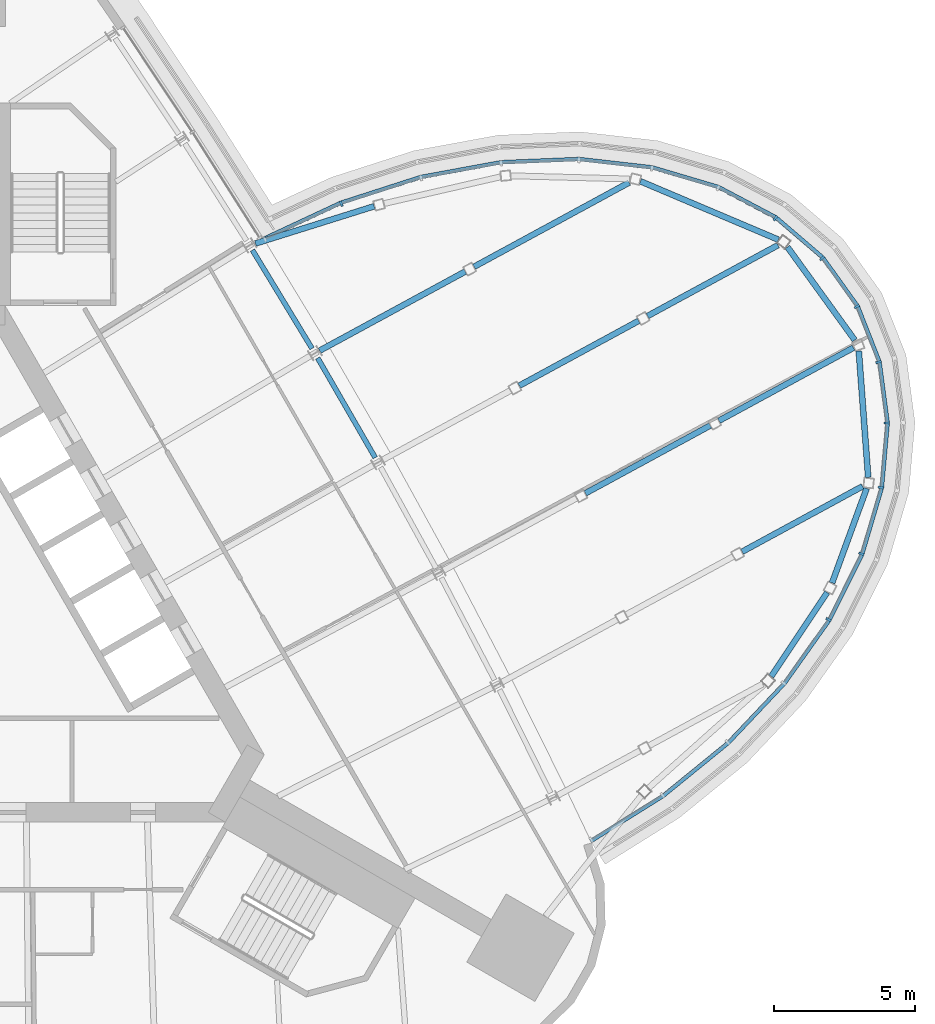
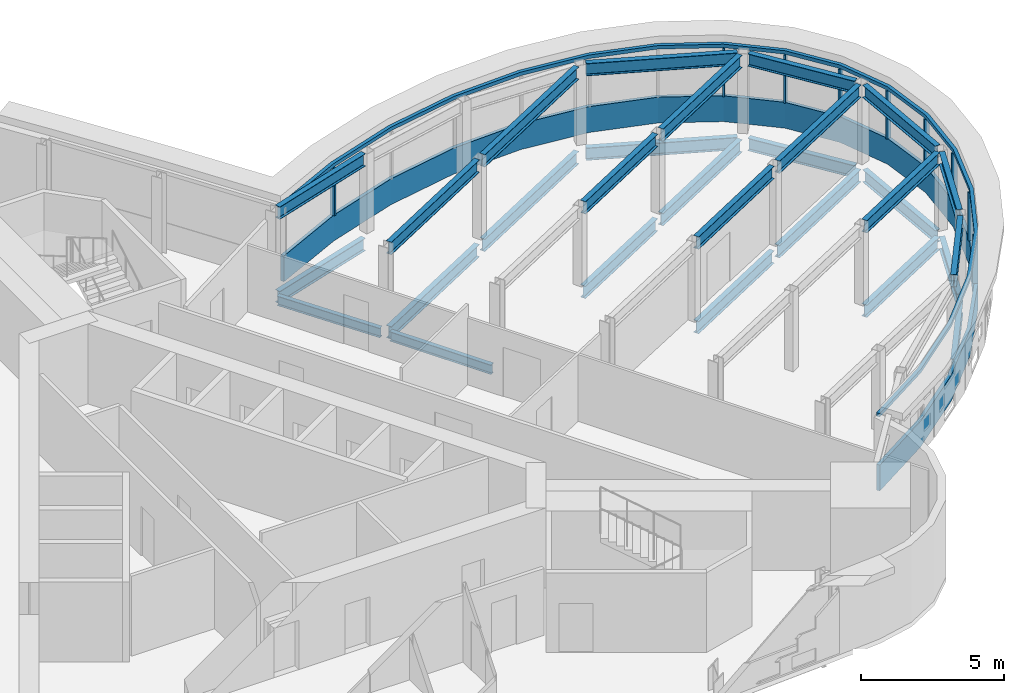
# One storey, part 7 of 15: 28 beams, 11 members, 1 element without a shape of its own.
"""IFC4 building model written with IfcOpenShell, lengths in metres."""

from ifc_helpers import new_model, si_unit, direction, frame, origin, origin_2d, place, context, subcontext, project, spatial, polyline, rectangle, i_section, outline, extrude, material, material_profile, profile_set, type_object, element, aggregate, save


model = new_model("IFC4")

# Units and contexts
model_context = context("Model", 3, precision=1e-05, world=origin(), true_north=direction((0.0, 1.0)))
body_context = subcontext(model_context, "Body", "Model", "MODEL_VIEW")
ifc_project = project(units=[si_unit("LENGTHUNIT", "METRE"), si_unit("AREAUNIT", "SQUARE_METRE"), si_unit("VOLUMEUNIT", "CUBIC_METRE"), si_unit("PLANEANGLEUNIT", "RADIAN"), si_unit("MASSUNIT", "GRAM", prefix="KILO")], contexts=[model_context])

# Site, building, storey
site_placement = place(None, origin())
site = spatial("IfcSite", under=ifc_project, at=site_placement, CompositionType="ELEMENT")
building_placement = place(site_placement, origin())
building = spatial("IfcBuilding", under=site, at=building_placement, Name="Noor Cloister Tower", CompositionType="ELEMENT")
storey_placement = place(building_placement, frame((0.0, 0.0, 181.5)))
storey = spatial("IfcBuildingStorey", under=building, at=storey_placement, Name="L46", CompositionType="ELEMENT", Elevation=181.5)

# Curtain wall, members
ifc_material_1 = material(Name="Aluminium 6063-T6 anodised", Category="aluminium")
curtain_wall_type = type_object("IfcCurtainWallType", Name="Sky bar curtain wall, lower bars CW2", PredefinedType="NOTDEFINED", material=ifc_material_1)
curtain_wall_placement = place(storey_placement, origin())
curtain_wall = element("IfcCurtainWall", 1, at=curtain_wall_placement, inside=storey, type_object=curtain_wall_type, Name="CW2 L46 NE sky bar run 3", PredefinedType="NOTDEFINED")
ifc_material_2 = material(Name="Aluminium 6063-T6 anodised", Category="aluminium")
member_type_1 = type_object("IfcMemberType", Name="Head transom CW2 150", PredefinedType="USERDEFINED", material=ifc_material_2)
member_1_placement = place(storey_placement, frame((0.0, 0.0, 3.14990234375)))
member_1 = element("IfcMember", 2, at=member_1_placement, type_object=member_type_1, Name="CW2 head transom", ObjectType="TRANSOM", PredefinedType="USERDEFINED", context=body_context, shape_type="SweptSolid", body=[
    extrude(outline(polyline([(22.264892578125, -7.662353515625), (24.84619140625, -6.048095703125), (27.17138671875, -4.155517578125), (29.16943359375, -2.0419921875), (30.780029296875, 0.22802734375), (31.953857421875, 2.5859375), (32.65576171875, 4.959716796875), (32.86376953125, 7.27734375), (32.572021484375, 9.468505859375), (31.7890625, 11.466552734375), (30.5390625, 13.210693359375), (28.85986328125, 14.648193359375), (26.80224609375, 15.735107421875), (24.428955078125, 16.4384765625), (21.81201171875, 16.737060546875), (19.03125, 16.62158203125), (16.170654296875, 16.095947265625), (13.3173828125, 15.175537109375), (10.55810546875, 13.888671875), (10.617431640625, 13.76171875), (13.36865234375, 15.044921875), (16.204833984375, 15.959716796875), (19.046875, 16.482177734375), (21.80712890625, 16.5966796875), (24.40087890625, 16.30078125), (26.749267578125, 15.60498046875), (28.780517578125, 14.53173828125), (30.435302734375, 13.115478515625), (31.665283203125, 11.399169921875), (32.435546875, 9.43310546875), (32.722900390625, 7.2744140625), (32.517333984375, 4.986083984375), (31.8232421875, 2.637451171875), (30.65966796875, 0.30029296875), (29.06103515625, -1.952880859375), (27.075927734375, -4.052490234375), (24.7646484375, -5.933837890625), (22.190673828125, -7.54345703125), (22.264892578125, -7.662353515625)])), origin(), (0.0, 0.0, 1.0), 0.150146484375),
])
ifc_material_3 = material(Name="Aluminium 6063-T6 anodised", Category="aluminium")
ifc_material_profile_1 = material_profile(ifc_material_3, rectangle(XDim=0.199951171875, YDim=0.080078125, at=origin_2d()), Name="200 x 80 mullion")
ifc_profile_set_1 = profile_set([ifc_material_profile_1], Name="Aluminium 6063-T6 anodised")
member_type_2 = type_object("IfcMemberType", Name="Mullion CW2 80 x 200", PredefinedType="MULLION", material=ifc_profile_set_1)
member_2_placement = place(storey_placement, frame((30.694091796875, 0.27978515625, 1.10009765625), z_axis=(0.0, 0.0, 1.0), x_axis=(-0.857964763902, 0.513708539838, 0.0)))
member_2 = element("IfcMember", 3, at=member_2_placement, type_object=member_type_2, Name="CW2 mullion 5", PredefinedType="MULLION", context=body_context, shape_type="SweptSolid", body=[
    extrude(rectangle(XDim=0.199951171875, YDim=0.080078125, at=origin_2d()), origin(), (0.0, 0.0, 1.0), 2.0498046875),
])
member_3_placement = place(storey_placement, frame((31.860595703125, 2.62255859375, 1.10009765625), z_axis=(0.0, 0.0, 1.0), x_axis=(-0.930621457837, 0.36598319936, 0.0)))
member_3 = element("IfcMember", 4, at=member_3_placement, type_object=member_type_2, Name="CW2 mullion 6", PredefinedType="MULLION", context=body_context, shape_type="SweptSolid", body=[
    extrude(rectangle(XDim=0.199951171875, YDim=0.080078125, at=origin_2d()), origin(), (0.0, 0.0, 1.0), 2.0498046875),
])
member_4_placement = place(storey_placement, frame((32.556884765625, 4.978515625, 1.10009765625), z_axis=(0.0, 0.0, 1.0), x_axis=(-0.982289781945, 0.187368044999, 0.0)))
member_4 = element("IfcMember", 5, at=member_4_placement, type_object=member_type_2, Name="CW2 mullion 7", PredefinedType="MULLION", context=body_context, shape_type="SweptSolid", body=[
    extrude(rectangle(XDim=0.199951171875, YDim=0.080078125, at=origin_2d()), origin(), (0.0, 0.0, 1.0), 2.0498046875),
])
member_5_placement = place(storey_placement, frame((32.76318359375, 7.275146484375, 1.10009765625), z_axis=(0.0, 0.0, 1.0), x_axis=(-0.999770679664, -0.021414669843, 0.0)))
member_5 = element("IfcMember", 6, at=member_5_placement, type_object=member_type_2, Name="CW2 mullion 8", PredefinedType="MULLION", context=body_context, shape_type="SweptSolid", body=[
    extrude(rectangle(XDim=0.199951171875, YDim=0.080078125, at=origin_2d()), origin(), (0.0, 0.0, 1.0), 2.0498046875),
])
member_6_placement = place(storey_placement, frame((32.474365234375, 9.443359375, 1.10009765625), z_axis=(0.0, 0.0, 1.0), x_axis=(-0.968191923464, -0.250208711558, 0.0)))
member_6 = element("IfcMember", 7, at=member_6_placement, type_object=member_type_2, Name="CW2 mullion 9", PredefinedType="MULLION", context=body_context, shape_type="SweptSolid", body=[
    extrude(rectangle(XDim=0.199951171875, YDim=0.080078125, at=origin_2d()), origin(), (0.0, 0.0, 1.0), 2.0498046875),
])
member_7_placement = place(storey_placement, frame((31.70068359375, 11.41845703125, 1.10009765625), z_axis=(0.0, 0.0, 1.0), x_axis=(-0.878721831254, -0.477334205015, 0.0)))
member_7 = element("IfcMember", 8, at=member_7_placement, type_object=member_type_2, Name="CW2 mullion 10", PredefinedType="MULLION", context=body_context, shape_type="SweptSolid", body=[
    extrude(rectangle(XDim=0.199951171875, YDim=0.080078125, at=origin_2d()), origin(), (0.0, 0.0, 1.0), 2.0498046875),
])
member_8_placement = place(storey_placement, frame((30.46484375, 13.142578125, 1.10009765625), z_axis=(0.0, 0.0, 1.0), x_axis=(-0.736887925537, -0.676014929715, 0.0)))
member_8 = element("IfcMember", 9, at=member_8_placement, type_object=member_type_2, Name="CW2 mullion 11", PredefinedType="MULLION", context=body_context, shape_type="SweptSolid", body=[
    extrude(rectangle(XDim=0.199951171875, YDim=0.080078125, at=origin_2d()), origin(), (0.0, 0.0, 1.0), 2.0498046875),
])
member_9_placement = place(storey_placement, frame((28.80322265625, 14.56494140625, 1.10009765625), z_axis=(0.0, 0.0, 1.0), x_axis=(-0.562143787996, -0.827039516358, 0.0)))
member_9 = element("IfcMember", 10, at=member_9_placement, type_object=member_type_2, Name="CW2 mullion 12", PredefinedType="MULLION", context=body_context, shape_type="SweptSolid", body=[
    extrude(rectangle(XDim=0.199951171875, YDim=0.080078125, at=origin_2d()), origin(), (0.0, 0.0, 1.0), 2.0498046875),
])
member_10_placement = place(storey_placement, frame((13.35400390625, 15.082275390625, 1.10009765625), z_axis=(0.0, 0.0, 1.0), x_axis=(0.36553306319, -0.930798356098, 0.0)))
member_10 = element("IfcMember", 11, at=member_10_placement, type_object=member_type_2, Name="CW2 mullion 18", PredefinedType="MULLION", context=body_context, shape_type="SweptSolid", body=[
    extrude(rectangle(XDim=0.199951171875, YDim=0.080078125, at=origin_2d()), origin(), (0.0, 0.0, 1.0), 2.0498046875),
])

# Beams
ifc_material_4 = material(Name="Steel ASTM A992 Gr 50", Category="steel")
ifc_material_profile_2 = material_profile(ifc_material_4, i_section(OverallWidth=0.208984375, OverallDepth=0.532958984375, WebThickness=0.01025390625, FlangeThickness=0.015625, FilletRadius=0.0126953125, at=origin_2d()), Name="W530x92")
ifc_profile_set_2 = profile_set([ifc_material_profile_2], Name="Steel ASTM A992 Gr 50")
beam_type_1 = type_object("IfcBeamType", Name="Pod floor beam W530x92", PredefinedType="BEAM", material=ifc_profile_set_2)
beam_1_placement = place(storey_placement, frame((27.616943359375, 2.6962890625, -0.466552734375), z_axis=(0.878711251996, 0.477353679796, 0.0), x_axis=(-0.477353679796, 0.878711251996, 0.0)))
element("IfcBeam", 12, at=beam_1_placement, inside=storey, type_object=beam_type_1, Name="Pod floor beam 3 L46 line 2 span 3", PredefinedType="BEAM", context=body_context, shape_type="SweptSolid", body=[
    extrude(i_section(OverallWidth=0.208984375, OverallDepth=0.532958984375, WebThickness=0.01025390625, FlangeThickness=0.015625, FilletRadius=0.0126953125, at=origin_2d()), origin(), (0.0, 0.0, 1.0), 4.876708984375),
])
beam_2_placement = place(storey_placement, frame((22.03955078125, 4.773681640625, -0.466552734375), z_axis=(0.878731937181, 0.477315600603, 0.0), x_axis=(-0.477315600603, 0.878731937181, 0.0)))
element("IfcBeam", 13, at=beam_2_placement, inside=storey, type_object=beam_type_1, Name="Pod floor beam 3 L46 line 3 span 2", PredefinedType="BEAM", context=body_context, shape_type="SweptSolid", body=[
    extrude(i_section(OverallWidth=0.208984375, OverallDepth=0.532958984375, WebThickness=0.01025390625, FlangeThickness=0.015625, FilletRadius=0.0126953125, at=origin_2d()), origin(), (0.0, 0.0, 1.0), 5.056640625),
])
beam_3_placement = place(storey_placement, frame((26.795654296875, 7.357421875, -0.466552734375), z_axis=(0.878728777116, 0.477321418196, 0.0), x_axis=(-0.477321418196, 0.878728777116, 0.0)))
element("IfcBeam", 14, at=beam_3_placement, inside=storey, type_object=beam_type_1, Name="Pod floor beam 3 L46 line 3 span 3", PredefinedType="BEAM", context=body_context, shape_type="SweptSolid", body=[
    extrude(i_section(OverallWidth=0.208984375, OverallDepth=0.532958984375, WebThickness=0.01025390625, FlangeThickness=0.015625, FilletRadius=0.0126953125, at=origin_2d()), origin(), (0.0, 0.0, 1.0), 5.44482421875),
])
beam_4_placement = place(storey_placement, frame((19.6875, 8.603759765625, -0.466552734375), z_axis=(0.878731276568, 0.47731681678, 0.0), x_axis=(-0.47731681678, 0.878731276568, 0.0)))
element("IfcBeam", 15, at=beam_4_placement, inside=storey, type_object=beam_type_1, Name="Pod floor beam 3 L46 line 4 span 2", PredefinedType="BEAM", context=body_context, shape_type="SweptSolid", body=[
    extrude(i_section(OverallWidth=0.208984375, OverallDepth=0.532958984375, WebThickness=0.01025390625, FlangeThickness=0.015625, FilletRadius=0.0126953125, at=origin_2d()), origin(), (0.0, 0.0, 1.0), 4.837646484375),
])
beam_5_placement = place(storey_placement, frame((24.251220703125, 11.082763671875, -0.466552734375), z_axis=(0.878717215185, 0.477342702612, 0.0), x_axis=(-0.477342702612, 0.878717215185, 0.0)))
element("IfcBeam", 16, at=beam_5_placement, inside=storey, type_object=beam_type_1, Name="Pod floor beam 3 L46 line 4 span 3", PredefinedType="BEAM", context=body_context, shape_type="SweptSolid", body=[
    extrude(i_section(OverallWidth=0.208984375, OverallDepth=0.532958984375, WebThickness=0.01025390625, FlangeThickness=0.015625, FilletRadius=0.0126953125, at=origin_2d()), origin(), (0.0, 0.0, 1.0), 5.283447265625),
])
beam_6_placement = place(storey_placement, frame((12.58544921875, 9.851806640625, -0.466552734375), z_axis=(0.878721935652, 0.47733401283, 0.0), x_axis=(-0.47733401283, 0.878721935652, 0.0)))
element("IfcBeam", 17, at=beam_6_placement, inside=storey, type_object=beam_type_1, Name="Pod floor beam 3 L46 line 5 span 1", PredefinedType="BEAM", context=body_context, shape_type="SweptSolid", body=[
    extrude(i_section(OverallWidth=0.208984375, OverallDepth=0.532958984375, WebThickness=0.01025390625, FlangeThickness=0.015625, FilletRadius=0.0126953125, at=origin_2d()), origin(), (0.0, 0.0, 1.0), 5.895751953125),
])
beam_7_placement = place(storey_placement, frame((18.078857421875, 12.8359375, -0.466552734375), z_axis=(0.878731888817, 0.47731568964, 0.0), x_axis=(-0.47731568964, 0.878731888817, 0.0)))
element("IfcBeam", 18, at=beam_7_placement, inside=storey, type_object=beam_type_1, Name="Pod floor beam 3 L46 line 5 span 2", PredefinedType="BEAM", context=body_context, shape_type="SweptSolid", body=[
    extrude(i_section(OverallWidth=0.208984375, OverallDepth=0.532958984375, WebThickness=0.01025390625, FlangeThickness=0.015625, FilletRadius=0.0126953125, at=origin_2d()), origin(), (0.0, 0.0, 1.0), 6.281982421875),
])
beam_8_placement = place(storey_placement, frame((28.650634765625, -1.742431640625, -0.466552734375), z_axis=(0.555154691443, 0.83174711816, 0.0), x_axis=(-0.83174711816, 0.555154691443, 0.0)))
element("IfcBeam", 19, at=beam_8_placement, inside=storey, type_object=beam_type_1, Name="Pod floor beam 3 L46 ring 3", PredefinedType="BEAM", context=body_context, shape_type="SweptSolid", body=[
    extrude(i_section(OverallWidth=0.208984375, OverallDepth=0.532958984375, WebThickness=0.01025390625, FlangeThickness=0.015625, FilletRadius=0.0126953125, at=origin_2d()), origin(), (0.0, 0.0, 1.0), 3.59423828125),
])
beam_9_placement = place(storey_placement, frame((30.818359375, 1.586669921875, -0.466552734375), z_axis=(0.343725354241, 0.93907022147, 0.0), x_axis=(-0.93907022147, 0.343725354241, 0.0)))
element("IfcBeam", 20, at=beam_9_placement, inside=storey, type_object=beam_type_1, Name="Pod floor beam 3 L46 ring 4", PredefinedType="BEAM", context=body_context, shape_type="SweptSolid", body=[
    extrude(i_section(OverallWidth=0.208984375, OverallDepth=0.532958984375, WebThickness=0.01025390625, FlangeThickness=0.015625, FilletRadius=0.0126953125, at=origin_2d()), origin(), (0.0, 0.0, 1.0), 3.578369140625),
])
beam_10_placement = place(storey_placement, frame((32.104736328125, 5.34326171875, -0.466552734375), z_axis=(-0.07447217853, 0.997223091703, 0.0), x_axis=(-0.997223091703, -0.07447217853, 0.0)))
element("IfcBeam", 21, at=beam_10_placement, inside=storey, type_object=beam_type_1, Name="Pod floor beam 3 L46 ring 5", PredefinedType="BEAM", context=body_context, shape_type="SweptSolid", body=[
    extrude(i_section(OverallWidth=0.208984375, OverallDepth=0.532958984375, WebThickness=0.01025390625, FlangeThickness=0.015625, FilletRadius=0.0126953125, at=origin_2d()), origin(), (0.0, 0.0, 1.0), 4.507568359375),
])
beam_11_placement = place(storey_placement, frame((31.62646484375, 10.225830078125, -0.466552734375), z_axis=(-0.586011381692, 0.810302820264, 0.0), x_axis=(-0.810302820264, -0.586011381692, 0.0)))
element("IfcBeam", 22, at=beam_11_placement, inside=storey, type_object=beam_type_1, Name="Pod floor beam 3 L46 ring 6", PredefinedType="BEAM", context=body_context, shape_type="SweptSolid", body=[
    extrude(i_section(OverallWidth=0.208984375, OverallDepth=0.532958984375, WebThickness=0.01025390625, FlangeThickness=0.015625, FilletRadius=0.0126953125, at=origin_2d()), origin(), (0.0, 0.0, 1.0), 4.089599609375),
])
beam_12_placement = place(storey_placement, frame((28.9091796875, 13.798828125, -0.466552734375), z_axis=(-0.920809730777, 0.390012102, 0.0), x_axis=(-0.390012102, -0.920809730777, 0.0)))
element("IfcBeam", 23, at=beam_12_placement, inside=storey, type_object=beam_type_1, Name="Pod floor beam 3 L46 ring 7", PredefinedType="BEAM", context=body_context, shape_type="SweptSolid", body=[
    extrude(i_section(OverallWidth=0.208984375, OverallDepth=0.532958984375, WebThickness=0.01025390625, FlangeThickness=0.015625, FilletRadius=0.0126953125, at=origin_2d()), origin(), (0.0, 0.0, 1.0), 5.3291015625),
])
beam_13_placement = place(storey_placement, frame((14.526611328125, 14.9892578125, -0.466552734375), z_axis=(-0.954214704742, -0.299122545546, 0.0), x_axis=(0.299122545546, -0.954214704742, 0.0)))
element("IfcBeam", 24, at=beam_13_placement, inside=storey, type_object=beam_type_1, Name="Pod floor beam 3 L46 ring 10", PredefinedType="BEAM", context=body_context, shape_type="SweptSolid", body=[
    extrude(i_section(OverallWidth=0.208984375, OverallDepth=0.532958984375, WebThickness=0.01025390625, FlangeThickness=0.015625, FilletRadius=0.0126953125, at=origin_2d()), origin(), (0.0, 0.0, 1.0), 4.427734375),
])
beam_14_placement = place(storey_placement, frame((27.616943359375, 2.6962890625, 3.133544921875), z_axis=(0.878711251996, 0.477353679796, 0.0), x_axis=(-0.477353679796, 0.878711251996, 0.0)))
element("IfcBeam", 25, at=beam_14_placement, inside=storey, type_object=beam_type_1, Name="Pod floor beam 3 L47 line 2 span 3", PredefinedType="BEAM", context=body_context, shape_type="SweptSolid", body=[
    extrude(i_section(OverallWidth=0.208984375, OverallDepth=0.532958984375, WebThickness=0.01025390625, FlangeThickness=0.015625, FilletRadius=0.0126953125, at=origin_2d()), origin(), (0.0, 0.0, 1.0), 4.876708984375),
])
beam_15_placement = place(storey_placement, frame((22.03955078125, 4.773681640625, 3.133544921875), z_axis=(0.878731937181, 0.477315600603, 0.0), x_axis=(-0.477315600603, 0.878731937181, 0.0)))
element("IfcBeam", 26, at=beam_15_placement, inside=storey, type_object=beam_type_1, Name="Pod floor beam 3 L47 line 3 span 2", PredefinedType="BEAM", context=body_context, shape_type="SweptSolid", body=[
    extrude(i_section(OverallWidth=0.208984375, OverallDepth=0.532958984375, WebThickness=0.01025390625, FlangeThickness=0.015625, FilletRadius=0.0126953125, at=origin_2d()), origin(), (0.0, 0.0, 1.0), 5.056640625),
])
beam_16_placement = place(storey_placement, frame((26.795654296875, 7.357421875, 3.133544921875), z_axis=(0.878728777116, 0.477321418196, 0.0), x_axis=(-0.477321418196, 0.878728777116, 0.0)))
element("IfcBeam", 27, at=beam_16_placement, inside=storey, type_object=beam_type_1, Name="Pod floor beam 3 L47 line 3 span 3", PredefinedType="BEAM", context=body_context, shape_type="SweptSolid", body=[
    extrude(i_section(OverallWidth=0.208984375, OverallDepth=0.532958984375, WebThickness=0.01025390625, FlangeThickness=0.015625, FilletRadius=0.0126953125, at=origin_2d()), origin(), (0.0, 0.0, 1.0), 5.44482421875),
])
beam_17_placement = place(storey_placement, frame((19.6875, 8.603759765625, 3.133544921875), z_axis=(0.878731276568, 0.47731681678, 0.0), x_axis=(-0.47731681678, 0.878731276568, 0.0)))
element("IfcBeam", 28, at=beam_17_placement, inside=storey, type_object=beam_type_1, Name="Pod floor beam 3 L47 line 4 span 2", PredefinedType="BEAM", context=body_context, shape_type="SweptSolid", body=[
    extrude(i_section(OverallWidth=0.208984375, OverallDepth=0.532958984375, WebThickness=0.01025390625, FlangeThickness=0.015625, FilletRadius=0.0126953125, at=origin_2d()), origin(), (0.0, 0.0, 1.0), 4.837646484375),
])
beam_18_placement = place(storey_placement, frame((24.251220703125, 11.082763671875, 3.133544921875), z_axis=(0.878717215185, 0.477342702612, 0.0), x_axis=(-0.477342702612, 0.878717215185, 0.0)))
element("IfcBeam", 29, at=beam_18_placement, inside=storey, type_object=beam_type_1, Name="Pod floor beam 3 L47 line 4 span 3", PredefinedType="BEAM", context=body_context, shape_type="SweptSolid", body=[
    extrude(i_section(OverallWidth=0.208984375, OverallDepth=0.532958984375, WebThickness=0.01025390625, FlangeThickness=0.015625, FilletRadius=0.0126953125, at=origin_2d()), origin(), (0.0, 0.0, 1.0), 5.283447265625),
])
beam_19_placement = place(storey_placement, frame((12.58544921875, 9.851806640625, 3.133544921875), z_axis=(0.878721935652, 0.47733401283, 0.0), x_axis=(-0.47733401283, 0.878721935652, 0.0)))
element("IfcBeam", 30, at=beam_19_placement, inside=storey, type_object=beam_type_1, Name="Pod floor beam 3 L47 line 5 span 1", PredefinedType="BEAM", context=body_context, shape_type="SweptSolid", body=[
    extrude(i_section(OverallWidth=0.208984375, OverallDepth=0.532958984375, WebThickness=0.01025390625, FlangeThickness=0.015625, FilletRadius=0.0126953125, at=origin_2d()), origin(), (0.0, 0.0, 1.0), 5.895751953125),
])
beam_20_placement = place(storey_placement, frame((18.078857421875, 12.8359375, 3.133544921875), z_axis=(0.878731888817, 0.47731568964, 0.0), x_axis=(-0.47731568964, 0.878731888817, 0.0)))
element("IfcBeam", 31, at=beam_20_placement, inside=storey, type_object=beam_type_1, Name="Pod floor beam 3 L47 line 5 span 2", PredefinedType="BEAM", context=body_context, shape_type="SweptSolid", body=[
    extrude(i_section(OverallWidth=0.208984375, OverallDepth=0.532958984375, WebThickness=0.01025390625, FlangeThickness=0.015625, FilletRadius=0.0126953125, at=origin_2d()), origin(), (0.0, 0.0, 1.0), 6.281982421875),
])
beam_21_placement = place(storey_placement, frame((28.650634765625, -1.742431640625, 3.133544921875), z_axis=(0.555154691443, 0.83174711816, 0.0), x_axis=(-0.83174711816, 0.555154691443, 0.0)))
element("IfcBeam", 32, at=beam_21_placement, inside=storey, type_object=beam_type_1, Name="Pod floor beam 3 L47 ring 3", PredefinedType="BEAM", context=body_context, shape_type="SweptSolid", body=[
    extrude(i_section(OverallWidth=0.208984375, OverallDepth=0.532958984375, WebThickness=0.01025390625, FlangeThickness=0.015625, FilletRadius=0.0126953125, at=origin_2d()), origin(), (0.0, 0.0, 1.0), 3.59423828125),
])
beam_22_placement = place(storey_placement, frame((30.818359375, 1.586669921875, 3.133544921875), z_axis=(0.343725354241, 0.93907022147, 0.0), x_axis=(-0.93907022147, 0.343725354241, 0.0)))
element("IfcBeam", 33, at=beam_22_placement, inside=storey, type_object=beam_type_1, Name="Pod floor beam 3 L47 ring 4", PredefinedType="BEAM", context=body_context, shape_type="SweptSolid", body=[
    extrude(i_section(OverallWidth=0.208984375, OverallDepth=0.532958984375, WebThickness=0.01025390625, FlangeThickness=0.015625, FilletRadius=0.0126953125, at=origin_2d()), origin(), (0.0, 0.0, 1.0), 3.578369140625),
])
beam_23_placement = place(storey_placement, frame((32.104736328125, 5.34326171875, 3.133544921875), z_axis=(-0.07447217853, 0.997223091703, 0.0), x_axis=(-0.997223091703, -0.07447217853, 0.0)))
element("IfcBeam", 34, at=beam_23_placement, inside=storey, type_object=beam_type_1, Name="Pod floor beam 3 L47 ring 5", PredefinedType="BEAM", context=body_context, shape_type="SweptSolid", body=[
    extrude(i_section(OverallWidth=0.208984375, OverallDepth=0.532958984375, WebThickness=0.01025390625, FlangeThickness=0.015625, FilletRadius=0.0126953125, at=origin_2d()), origin(), (0.0, 0.0, 1.0), 4.507568359375),
])
beam_24_placement = place(storey_placement, frame((31.62646484375, 10.225830078125, 3.133544921875), z_axis=(-0.586011381692, 0.810302820264, 0.0), x_axis=(-0.810302820264, -0.586011381692, 0.0)))
element("IfcBeam", 35, at=beam_24_placement, inside=storey, type_object=beam_type_1, Name="Pod floor beam 3 L47 ring 6", PredefinedType="BEAM", context=body_context, shape_type="SweptSolid", body=[
    extrude(i_section(OverallWidth=0.208984375, OverallDepth=0.532958984375, WebThickness=0.01025390625, FlangeThickness=0.015625, FilletRadius=0.0126953125, at=origin_2d()), origin(), (0.0, 0.0, 1.0), 4.089599609375),
])
beam_25_placement = place(storey_placement, frame((28.9091796875, 13.798828125, 3.133544921875), z_axis=(-0.920809730777, 0.390012102, 0.0), x_axis=(-0.390012102, -0.920809730777, 0.0)))
element("IfcBeam", 36, at=beam_25_placement, inside=storey, type_object=beam_type_1, Name="Pod floor beam 3 L47 ring 7", PredefinedType="BEAM", context=body_context, shape_type="SweptSolid", body=[
    extrude(i_section(OverallWidth=0.208984375, OverallDepth=0.532958984375, WebThickness=0.01025390625, FlangeThickness=0.015625, FilletRadius=0.0126953125, at=origin_2d()), origin(), (0.0, 0.0, 1.0), 5.3291015625),
])
beam_26_placement = place(storey_placement, frame((14.526611328125, 14.9892578125, 3.133544921875), z_axis=(-0.954214704742, -0.299122545546, 0.0), x_axis=(0.299122545546, -0.954214704742, 0.0)))
element("IfcBeam", 37, at=beam_26_placement, inside=storey, type_object=beam_type_1, Name="Pod floor beam 3 L47 ring 10", PredefinedType="BEAM", context=body_context, shape_type="SweptSolid", body=[
    extrude(i_section(OverallWidth=0.208984375, OverallDepth=0.532958984375, WebThickness=0.01025390625, FlangeThickness=0.015625, FilletRadius=0.0126953125, at=origin_2d()), origin(), (0.0, 0.0, 1.0), 4.427734375),
])

# Member
ifc_material_5 = material(Name="Aluminium 6063-T6 anodised", Category="aluminium")
member_type_3 = type_object("IfcMemberType", Name="Sill transom CW2 1100", PredefinedType="USERDEFINED", material=ifc_material_5)
member_11_placement = place(storey_placement, origin())
member_11 = element("IfcMember", 38, at=member_11_placement, type_object=member_type_3, Name="CW2 sill transom", ObjectType="TRANSOM", PredefinedType="USERDEFINED", context=body_context, shape_type="SweptSolid", body=[
    extrude(outline(polyline([(22.264892578125, -7.662353515625), (24.84619140625, -6.048095703125), (27.17138671875, -4.155517578125), (29.16943359375, -2.0419921875), (30.780029296875, 0.22802734375), (31.953857421875, 2.5859375), (32.65576171875, 4.959716796875), (32.86376953125, 7.27734375), (32.572021484375, 9.468505859375), (31.7890625, 11.466552734375), (30.5390625, 13.210693359375), (28.85986328125, 14.648193359375), (26.80224609375, 15.735107421875), (24.428955078125, 16.4384765625), (21.81201171875, 16.737060546875), (19.03125, 16.62158203125), (16.170654296875, 16.095947265625), (13.3173828125, 15.175537109375), (10.55810546875, 13.888671875), (10.617431640625, 13.76171875), (13.36865234375, 15.044921875), (16.204833984375, 15.959716796875), (19.046875, 16.482177734375), (21.80712890625, 16.5966796875), (24.40087890625, 16.30078125), (26.749267578125, 15.60498046875), (28.780517578125, 14.53173828125), (30.435302734375, 13.115478515625), (31.665283203125, 11.399169921875), (32.435546875, 9.43310546875), (32.722900390625, 7.2744140625), (32.517333984375, 4.986083984375), (31.8232421875, 2.637451171875), (30.65966796875, 0.30029296875), (29.06103515625, -1.952880859375), (27.075927734375, -4.052490234375), (24.7646484375, -5.933837890625), (22.190673828125, -7.54345703125), (22.264892578125, -7.662353515625)])), origin(), (0.0, 0.0, 1.0), 1.10009765625),
])

aggregate(curtain_wall, [member_2, member_3, member_4, member_5, member_6, member_7, member_8, member_9, member_10, member_11, member_1])

# Beams
ifc_material_6 = material(Name="Steel ASTM A992 Gr 50", Category="steel")
ifc_material_profile_3 = material_profile(ifc_material_6, i_section(OverallWidth=0.177978515625, OverallDepth=0.406005859375, WebThickness=0.0078125, FlangeThickness=0.0126953125, FilletRadius=0.01025390625, at=origin_2d()), Name="W410x60")
ifc_profile_set_3 = profile_set([ifc_material_profile_3], Name="Steel ASTM A992 Gr 50")
beam_type_2 = type_object("IfcBeamType", Name="Spandrel beam W410x60", PredefinedType="SPANDREL", material=ifc_profile_set_3)
beam_27_placement = place(storey_placement, frame((14.5625, 6.043701171875, -0.403076171875), z_axis=(-0.499980532398, 0.866036643118, 0.0), x_axis=(-0.866036643118, -0.499980532398, 0.0)))
element("IfcBeam", 39, at=beam_27_placement, inside=storey, type_object=beam_type_2, Name="Spandrel beam NE 04 L46", PredefinedType="SPANDREL", context=body_context, shape_type="SweptSolid", body=[
    extrude(i_section(OverallWidth=0.177978515625, OverallDepth=0.406005859375, WebThickness=0.0078125, FlangeThickness=0.0126953125, FilletRadius=0.01025390625, at=origin_2d()), origin(), (0.0, 0.0, 1.0), 4.094482421875),
])
beam_28_placement = place(storey_placement, frame((12.314697265625, 9.9287109375, -0.403076171875), z_axis=(-0.518252817044, 0.85522746543, 0.0), x_axis=(-0.85522746543, -0.518252817044, 0.0)))
element("IfcBeam", 40, at=beam_28_placement, inside=storey, type_object=beam_type_2, Name="Spandrel beam NE 05 L46", PredefinedType="SPANDREL", context=body_context, shape_type="SweptSolid", body=[
    extrude(i_section(OverallWidth=0.177978515625, OverallDepth=0.406005859375, WebThickness=0.0078125, FlangeThickness=0.0126953125, FilletRadius=0.01025390625, at=origin_2d()), origin(), (0.0, 0.0, 1.0), 4.09423828125),
])

save(model, "model.ifc")
